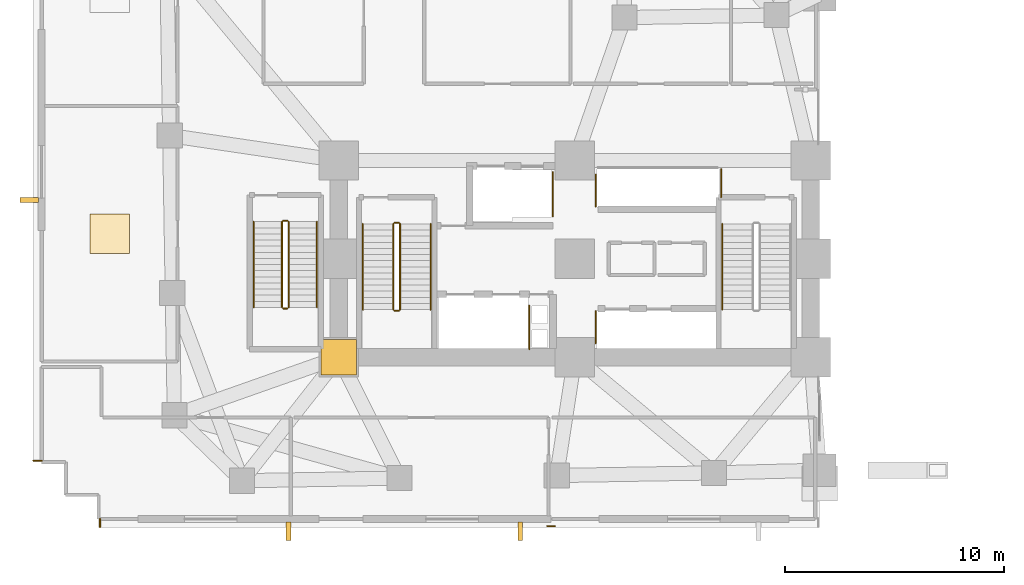
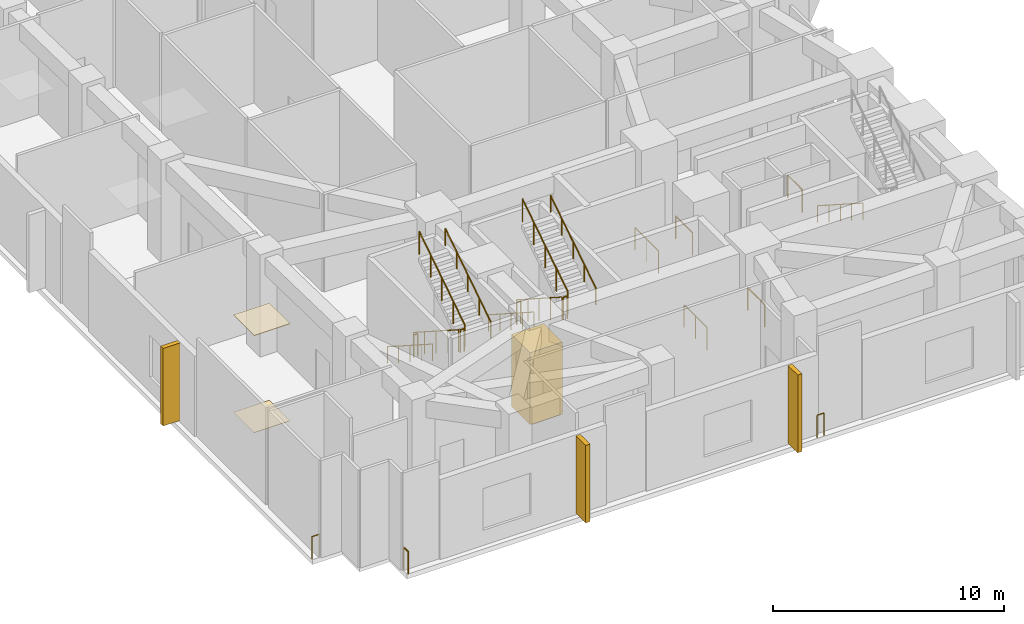
# One storey, part 13 of 18: 21 railings, 3 coverings, 3 shading devices.
"""IFC4 building model written with IfcOpenShell, lengths in metres."""

from ifc_helpers import new_model, si_unit, direction, frame, origin, origin_2d, place, context, subcontext, project, spatial, rectangle, circle, extrude, material, layer, layer_set, type_object, element, save


model = new_model("IFC4")

# Units and contexts
model_context = context("Model", 3, precision=1e-05, world=origin(), true_north=direction((0.0, 1.0)))
body_context = subcontext(model_context, "Body", "Model", "MODEL_VIEW")
ifc_project = project(units=[si_unit("LENGTHUNIT", "METRE"), si_unit("AREAUNIT", "SQUARE_METRE"), si_unit("VOLUMEUNIT", "CUBIC_METRE"), si_unit("PLANEANGLEUNIT", "RADIAN"), si_unit("MASSUNIT", "GRAM", prefix="KILO")], contexts=[model_context])

# Site, building, storey
site_placement = place(None, origin())
site = spatial("IfcSite", under=ifc_project, at=site_placement, CompositionType="ELEMENT")
building_placement = place(site_placement, origin())
building = spatial("IfcBuilding", under=site, at=building_placement, Name="Gaonmaruhae Medical Tower", CompositionType="ELEMENT")
storey_placement = place(building_placement, frame((0.0, 0.0, 16.199951171875)))
storey = spatial("IfcBuildingStorey", under=building, at=storey_placement, Name="L03", CompositionType="ELEMENT", Elevation=16.199951171875)

# Coverings
ifc_material_1 = material(Name="Architectural precast column cladding", Category="concrete")
ifc_layer_1 = layer(ifc_material_1, 0.06005859375)
ifc_layer_set_1 = layer_set([ifc_layer_1], Name="Architectural precast column cladding")
covering_type_1 = type_object("IfcCoveringType", Name="CLD-01 Architectural Precast Pier Cladding", PredefinedType="CLADDING", material=ifc_layer_set_1)
covering_1_placement = place(storey_placement, frame((14.0, 7.800048828125, 0.10009765625), z_axis=(0.0, 0.0, 1.0), x_axis=(1.0, 0.0, 0.0)))
element("IfcCovering", 1, at=covering_1_placement, inside=storey, type_object=covering_type_1, Name="L03 Architectural Precast Column Cladding 5", PredefinedType="CLADDING", context=body_context, shape_type="SweptSolid", body=[
    extrude(rectangle(XDim=1.6201171875, YDim=1.6201171875, at=origin_2d()), origin(), (0.0, 0.0, 1.0), 3.800048828125),
])
ifc_material_2 = material(Name="Acoustic mineral ceiling tile", Category="finish")
ifc_layer_2 = layer(ifc_material_2, 0.02490234375)
ifc_layer_set_2 = layer_set([ifc_layer_2], Name="Acoustic mineral ceiling tile")
covering_type_2 = type_object("IfcCoveringType", Name="CLG-01 Antimicrobial Acoustic Mineral Ceiling", PredefinedType="CEILING", material=ifc_layer_set_2)
covering_2_placement = place(storey_placement, frame((3.510009765625, 13.449951171875, 5.125), z_axis=(0.0, 0.0, 1.0), x_axis=(1.0, 0.0, 0.0)))
element("IfcCovering", 2, at=covering_2_placement, inside=storey, type_object=covering_type_2, Name="L03 Clinical Room Acoustic Ceiling 2", PredefinedType="CEILING", context=body_context, shape_type="SweptSolid", body=[
    extrude(rectangle(XDim=1.800048828125, YDim=1.800048828125, at=origin_2d()), origin(), (0.0, 0.0, 1.0), 0.02490234375),
])
ifc_material_3 = material(Name="Seamless clinical vinyl flooring", Category="finish")
ifc_layer_3 = layer(ifc_material_3, 0.014892578125)
ifc_layer_set_3 = layer_set([ifc_layer_3], Name="Seamless clinical vinyl flooring")
covering_type_3 = type_object("IfcCoveringType", Name="FLR-01 Seamless Clinical Antistatic Vinyl Flooring", PredefinedType="FLOORING", material=ifc_layer_set_3)
covering_3_placement = place(storey_placement, frame((3.510009765625, 13.449951171875, 0.0), z_axis=(0.0, 0.0, 1.0), x_axis=(1.0, 0.0, 0.0)))
element("IfcCovering", 3, at=covering_3_placement, inside=storey, type_object=covering_type_3, Name="L03 Clinical Room Vinyl Flooring 2", PredefinedType="FLOORING", context=body_context, shape_type="SweptSolid", body=[
    extrude(rectangle(XDim=1.800048828125, YDim=1.800048828125, at=origin_2d()), origin(), (0.0, 0.0, 1.0), 0.014892578125),
])

# Railings
ifc_material_4 = material(Name="Stainless steel 316L and laminated safety glass", Category="steel")
ifc_layer_4 = layer(ifc_material_4, 0.080078125)
ifc_layer_set_4 = layer_set([ifc_layer_4], Name="Stainless steel 316L and laminated safety glass")
railing_type_1 = type_object("IfcRailingType", Name="GD-120 Outdoor Terrace Safety Glass & Steel Balustrade", PredefinedType="BALUSTRADE", material=ifc_layer_set_4)
railing_1_placement = place(storey_placement, frame((3.070068359375, 0.02001953125, 0.0)))
element("IfcRailing", 4, at=railing_1_placement, inside=storey, type_object=railing_type_1, Name="L03 Perimeter Slab Edge Safety Balustrade 01", PredefinedType="BALUSTRADE", context=body_context, shape_type="SweptSolid", body=[
    extrude(circle(Radius=0.02392578125, at=origin_2d()), frame((0.0, 0.0, 1.17578125), z_axis=(0.0, 1.0, 0.0), x_axis=(-1.0, 0.0, 0.0)), (0.0, 0.0, 1.0), 0.393310546875),
    extrude(circle(Radius=0.02099609375, at=origin_2d()), origin(), (0.0, 0.0, 1.0), 1.15185546875),
    extrude(circle(Radius=0.02099609375, at=origin_2d()), frame((0.0, 0.393310546875, 0.0)), (0.0, 0.0, 1.0), 1.15185546875),
])
railing_2_placement = place(storey_placement, frame((0.413330078125, 3.070068359375, 0.0)))
element("IfcRailing", 5, at=railing_2_placement, inside=storey, type_object=railing_type_1, Name="L03 Perimeter Slab Edge Safety Balustrade 02", PredefinedType="BALUSTRADE", context=body_context, shape_type="SweptSolid", body=[
    extrude(circle(Radius=0.02392578125, at=origin_2d()), frame((0.0, 0.0, 1.17578125), z_axis=(-1.0, 0.0, 0.0), x_axis=(0.0, -1.0, 0.0)), (0.0, 0.0, 1.0), 0.393310546875),
    extrude(circle(Radius=0.02099609375, at=origin_2d()), origin(), (0.0, 0.0, 1.0), 1.15185546875),
    extrude(circle(Radius=0.02099609375, at=origin_2d()), frame((-0.393310546875, 0.0, 0.0)), (0.0, 0.0, 1.0), 1.15185546875),
])
railing_3_placement = place(storey_placement, frame((23.88427734375, 0.070068359375, 0.0)))
element("IfcRailing", 6, at=railing_3_placement, inside=storey, type_object=railing_type_1, Name="L03 Perimeter Slab Edge Safety Balustrade 16", PredefinedType="BALUSTRADE", context=body_context, shape_type="SweptSolid", body=[
    extrude(circle(Radius=0.02392578125, at=origin_2d()), frame((0.0, 0.0, 1.17578125), z_axis=(-1.0, 0.0, 0.0), x_axis=(0.0, -1.0, 0.0)), (0.0, 0.0, 1.0), 0.33935546875),
    extrude(circle(Radius=0.02099609375, at=origin_2d()), origin(), (0.0, 0.0, 1.0), 1.15185546875),
    extrude(circle(Radius=0.02099609375, at=origin_2d()), frame((-0.33935546875, 0.0, 0.0)), (0.0, 0.0, 1.0), 1.15185546875),
])
ifc_material_5 = material(Name="Stainless steel 304 handrail", Category="steel")
railing_type_2 = type_object("IfcRailingType", Name="HR-092 Continuous Stainless Steel Stair Handrail", PredefinedType="HANDRAIL", material=ifc_material_5)
railing_4_placement = place(storey_placement, frame((15.10009765625, 13.89990234375, 0.179931640625)))
element("IfcRailing", 7, at=railing_4_placement, inside=storey, type_object=railing_type_2, Name="L03 ST-01 stair handrail 1", PredefinedType="HANDRAIL", context=body_context, shape_type="SweptSolid", body=[
    extrude(circle(Radius=0.02392578125, at=origin_2d()), frame((0.0, 0.0, 0.8759765625), z_axis=(0.0, -0.841171666519, 0.540768182723), x_axis=(1.0, 0.0, 0.0)), (0.0, 0.0, 1.0), 4.66015625),
    extrude(circle(Radius=0.02099609375, at=origin_2d()), origin(), (0.0, 0.0, 1.0), 0.851806640625),
    extrude(circle(Radius=0.02099609375, at=origin_2d()), frame((0.0, -0.97998046875, 0.6298828125)), (0.0, 0.0, 1.0), 0.851806640625),
    extrude(circle(Radius=0.02099609375, at=origin_2d()), frame((0.0, -1.9599609375, 1.260009765625)), (0.0, 0.0, 1.0), 0.851806640625),
    extrude(circle(Radius=0.02099609375, at=origin_2d()), frame((0.0, -2.93994140625, 1.89013671875)), (0.0, 0.0, 1.0), 0.851806640625),
    extrude(circle(Radius=0.02099609375, at=origin_2d()), frame((0.0, -3.919921875, 2.52001953125)), (0.0, 0.0, 1.0), 0.851806640625),
])
railing_5_placement = place(storey_placement, frame((18.199951171875, 9.97998046875, 2.880126953125)))
element("IfcRailing", 8, at=railing_5_placement, inside=storey, type_object=railing_type_2, Name="L03 ST-01 stair handrail 2", PredefinedType="HANDRAIL", context=body_context, shape_type="SweptSolid", body=[
    extrude(circle(Radius=0.02392578125, at=origin_2d()), frame((0.0, 0.0, 0.8759765625), z_axis=(0.0, 0.841171666519, 0.540768182723), x_axis=(-1.0, 0.0, 0.0)), (0.0, 0.0, 1.0), 4.66015625),
    extrude(circle(Radius=0.02099609375, at=origin_2d()), origin(), (0.0, 0.0, 1.0), 0.851806640625),
    extrude(circle(Radius=0.02099609375, at=origin_2d()), frame((0.0, 0.97998046875, 0.6298828125)), (0.0, 0.0, 1.0), 0.851806640625),
    extrude(circle(Radius=0.02099609375, at=origin_2d()), frame((0.0, 1.9599609375, 1.260009765625)), (0.0, 0.0, 1.0), 0.851806640625),
    extrude(circle(Radius=0.02099609375, at=origin_2d()), frame((0.0, 2.93994140625, 1.89013671875)), (0.0, 0.0, 1.0), 0.851806640625),
    extrude(circle(Radius=0.02099609375, at=origin_2d()), frame((0.0, 3.919921875, 2.52001953125)), (0.0, 0.0, 1.0), 0.851806640625),
])
for number, where, name in (
    (9, (31.550048828125, 13.89990234375, 0.179931640625), "L03 ST-02 stair handrail 1"),
    (10, (10.10009765625, 14.0, 0.179931640625), "L03 ST-03 stair handrail 1"),
):
    element("IfcRailing", number, at=place(storey_placement, frame(where)), inside=storey, type_object=railing_type_2, Name=name, PredefinedType="HANDRAIL", context=body_context, shape_type="SweptSolid", body=[
        extrude(circle(Radius=0.02392578125, at=origin_2d()), frame((0.0, 0.0, 0.8759765625), z_axis=(0.0, -0.841171666519, 0.540768182723), x_axis=(1.0, 0.0, 0.0)), (0.0, 0.0, 1.0), 4.66015625),
        extrude(circle(Radius=0.02099609375, at=origin_2d()), origin(), (0.0, 0.0, 1.0), 0.851806640625),
        extrude(circle(Radius=0.02099609375, at=origin_2d()), frame((0.0, -0.97998046875, 0.6298828125)), (0.0, 0.0, 1.0), 0.851806640625),
        extrude(circle(Radius=0.02099609375, at=origin_2d()), frame((0.0, -1.9599609375, 1.260009765625)), (0.0, 0.0, 1.0), 0.851806640625),
        extrude(circle(Radius=0.02099609375, at=origin_2d()), frame((0.0, -2.93994140625, 1.89013671875)), (0.0, 0.0, 1.0), 0.851806640625),
        extrude(circle(Radius=0.02099609375, at=origin_2d()), frame((0.0, -3.919921875, 2.52001953125)), (0.0, 0.0, 1.0), 0.851806640625),
    ])
railing_6_placement = place(storey_placement, frame((13.0, 10.080078125, 2.880126953125)))
element("IfcRailing", 11, at=railing_6_placement, inside=storey, type_object=railing_type_2, Name="L03 ST-03 stair handrail 2", PredefinedType="HANDRAIL", context=body_context, shape_type="SweptSolid", body=[
    extrude(circle(Radius=0.02392578125, at=origin_2d()), frame((0.0, 0.0, 0.8759765625), z_axis=(0.0, 0.841171666519, 0.540768182723), x_axis=(-1.0, 0.0, 0.0)), (0.0, 0.0, 1.0), 4.66015625),
    extrude(circle(Radius=0.02099609375, at=origin_2d()), origin(), (0.0, 0.0, 1.0), 0.851806640625),
    extrude(circle(Radius=0.02099609375, at=origin_2d()), frame((0.0, 0.97998046875, 0.6298828125)), (0.0, 0.0, 1.0), 0.851806640625),
    extrude(circle(Radius=0.02099609375, at=origin_2d()), frame((0.0, 1.9599609375, 1.260009765625)), (0.0, 0.0, 1.0), 0.851806640625),
    extrude(circle(Radius=0.02099609375, at=origin_2d()), frame((0.0, 2.93994140625, 1.89013671875)), (0.0, 0.0, 1.0), 0.851806640625),
    extrude(circle(Radius=0.02099609375, at=origin_2d()), frame((0.0, 3.919921875, 2.52001953125)), (0.0, 0.0, 1.0), 0.851806640625),
])

# Shading devices
ifc_material_6 = material(Name="Pigmented coral precast concrete C45/55", Category="concrete")
shading_device_type = type_object("IfcShadingDeviceType", Name="SD-FIN2 Podium Vertical Coral Precast Shading Fin", PredefinedType="USERDEFINED", material=ifc_material_6)
for number, where, z_axis, x_axis, name in (
    (12, (11.699951171875, -0.1650390625, 0.06494140625), (0.0, 0.0, 1.0), (-1.0, 0.0, 0.0), "L03 Podium Coral Precast Shading Fin PB-S1"),
    (13, (22.300048828125, -0.1650390625, 0.06494140625), (0.0, 0.0, 1.0), (-1.0, 0.0, 0.0), "L03 Podium Coral Precast Shading Fin PB-S2"),
    (14, (-0.1650390625, 15.0, 0.06494140625), (0.0, 0.0, 1.0), (0.0, 1.0, 0.0), "L03 Podium Coral Precast Shading Fin PB-W1"),
):
    element("IfcShadingDevice", number, at=place(storey_placement, frame(where, z_axis=z_axis, x_axis=x_axis)), inside=storey, type_object=shading_device_type, Name=name, ObjectType="FIN", PredefinedType="USERDEFINED", context=body_context, shape_type="SweptSolid", body=[
        extrude(rectangle(XDim=0.219970703125, YDim=0.85009765625, at=origin_2d()), origin(), (0.0, 0.0, 1.0), 4.10009765625),
    ])

# Railings
ifc_material_7 = material(Name="Stainless steel 304 balustrade", Category="steel")
railing_type_3 = type_object("IfcRailingType", Name="SG-112 Stair Well & Ramp Void Safety Balustrade", PredefinedType="BALUSTRADE", material=ifc_material_7)
railing_7_placement = place(storey_placement, frame((16.5, 13.89990234375, 0.179931640625)))
element("IfcRailing", 15, at=railing_7_placement, inside=storey, type_object=railing_type_3, Name="L03 ST-01 stair guard 1", PredefinedType="BALUSTRADE", context=body_context, shape_type="SweptSolid", body=[
    extrude(circle(Radius=0.02392578125, at=origin_2d()), frame((0.0, 0.0, 1.17578125), z_axis=(0.0, -0.841171666519, 0.540768182723), x_axis=(1.0, 0.0, 0.0)), (0.0, 0.0, 1.0), 4.66015625),
    extrude(circle(Radius=0.02099609375, at=origin_2d()), origin(), (0.0, 0.0, 1.0), 1.15185546875),
    extrude(circle(Radius=0.02099609375, at=origin_2d()), frame((0.0, -0.97998046875, 0.6298828125)), (0.0, 0.0, 1.0), 1.15185546875),
    extrude(circle(Radius=0.02099609375, at=origin_2d()), frame((0.0, -1.9599609375, 1.260009765625)), (0.0, 0.0, 1.0), 1.15185546875),
    extrude(circle(Radius=0.02099609375, at=origin_2d()), frame((0.0, -2.93994140625, 1.89013671875)), (0.0, 0.0, 1.0), 1.15185546875),
    extrude(circle(Radius=0.02099609375, at=origin_2d()), frame((0.0, -3.919921875, 2.52001953125)), (0.0, 0.0, 1.0), 1.15185546875),
])
railing_8_placement = place(storey_placement, frame((16.550048828125, 9.929931640625, 2.699951171875)))
element("IfcRailing", 16, at=railing_8_placement, inside=storey, type_object=railing_type_3, Name="L03 ST-01 stair guard 2", PredefinedType="BALUSTRADE", context=body_context, shape_type="SweptSolid", body=[
    extrude(circle(Radius=0.02392578125, at=origin_2d()), frame((0.0, 0.0, 1.17578125), z_axis=(1.0, 0.0, 0.0), x_axis=(0.0, 1.0, 0.0)), (0.0, 0.0, 1.0), 0.199951171875),
    extrude(circle(Radius=0.02099609375, at=origin_2d()), origin(), (0.0, 0.0, 1.0), 1.15185546875),
    extrude(circle(Radius=0.02099609375, at=origin_2d()), frame((0.199951171875, 0.0, 0.0)), (0.0, 0.0, 1.0), 1.15185546875),
])
railing_9_placement = place(storey_placement, frame((16.800048828125, 9.97998046875, 2.880126953125)))
element("IfcRailing", 17, at=railing_9_placement, inside=storey, type_object=railing_type_3, Name="L03 ST-01 stair guard 3", PredefinedType="BALUSTRADE", context=body_context, shape_type="SweptSolid", body=[
    extrude(circle(Radius=0.02392578125, at=origin_2d()), frame((0.0, 0.0, 1.17578125), z_axis=(0.0, 0.841171666519, 0.540768182723), x_axis=(-1.0, 0.0, 0.0)), (0.0, 0.0, 1.0), 4.66015625),
    extrude(circle(Radius=0.02099609375, at=origin_2d()), origin(), (0.0, 0.0, 1.0), 1.15185546875),
    extrude(circle(Radius=0.02099609375, at=origin_2d()), frame((0.0, 0.97998046875, 0.6298828125)), (0.0, 0.0, 1.0), 1.15185546875),
    extrude(circle(Radius=0.02099609375, at=origin_2d()), frame((0.0, 1.9599609375, 1.260009765625)), (0.0, 0.0, 1.0), 1.15185546875),
    extrude(circle(Radius=0.02099609375, at=origin_2d()), frame((0.0, 2.93994140625, 1.89013671875)), (0.0, 0.0, 1.0), 1.15185546875),
    extrude(circle(Radius=0.02099609375, at=origin_2d()), frame((0.0, 3.919921875, 2.52001953125)), (0.0, 0.0, 1.0), 1.15185546875),
])
railing_10_placement = place(storey_placement, frame((16.550048828125, 13.949951171875, 0.0)))
element("IfcRailing", 18, at=railing_10_placement, inside=storey, type_object=railing_type_3, Name="L03 ST-01 stair guard 4", PredefinedType="BALUSTRADE", context=body_context, shape_type="SweptSolid", body=[
    extrude(circle(Radius=0.02392578125, at=origin_2d()), frame((0.0, 0.0, 1.17578125), z_axis=(1.0, 0.0, 0.0), x_axis=(0.0, 1.0, 0.0)), (0.0, 0.0, 1.0), 0.199951171875),
    extrude(circle(Radius=0.02099609375, at=origin_2d()), origin(), (0.0, 0.0, 1.0), 1.15185546875),
    extrude(circle(Radius=0.02099609375, at=origin_2d()), frame((0.199951171875, 0.0, 0.0)), (0.0, 0.0, 1.0), 1.15185546875),
])
railing_11_placement = place(storey_placement, frame((11.39990234375, 14.0, 0.179931640625)))
element("IfcRailing", 19, at=railing_11_placement, inside=storey, type_object=railing_type_3, Name="L03 ST-03 stair guard 1", PredefinedType="BALUSTRADE", context=body_context, shape_type="SweptSolid", body=[
    extrude(circle(Radius=0.02392578125, at=origin_2d()), frame((0.0, 0.0, 1.17578125), z_axis=(0.0, -0.841171666519, 0.540768182723), x_axis=(1.0, 0.0, 0.0)), (0.0, 0.0, 1.0), 4.66015625),
    extrude(circle(Radius=0.02099609375, at=origin_2d()), origin(), (0.0, 0.0, 1.0), 1.15185546875),
    extrude(circle(Radius=0.02099609375, at=origin_2d()), frame((0.0, -0.97998046875, 0.6298828125)), (0.0, 0.0, 1.0), 1.15185546875),
    extrude(circle(Radius=0.02099609375, at=origin_2d()), frame((0.0, -1.9599609375, 1.260009765625)), (0.0, 0.0, 1.0), 1.15185546875),
    extrude(circle(Radius=0.02099609375, at=origin_2d()), frame((0.0, -2.93994140625, 1.89013671875)), (0.0, 0.0, 1.0), 1.15185546875),
    extrude(circle(Radius=0.02099609375, at=origin_2d()), frame((0.0, -3.919921875, 2.52001953125)), (0.0, 0.0, 1.0), 1.15185546875),
])
railing_12_placement = place(storey_placement, frame((11.449951171875, 10.030029296875, 2.699951171875)))
element("IfcRailing", 20, at=railing_12_placement, inside=storey, type_object=railing_type_3, Name="L03 ST-03 stair guard 2", PredefinedType="BALUSTRADE", context=body_context, shape_type="SweptSolid", body=[
    extrude(circle(Radius=0.02392578125, at=origin_2d()), frame((0.0, 0.0, 1.17578125), z_axis=(1.0, 0.0, 0.0), x_axis=(0.0, 1.0, 0.0)), (0.0, 0.0, 1.0), 0.199951171875),
    extrude(circle(Radius=0.02099609375, at=origin_2d()), origin(), (0.0, 0.0, 1.0), 1.15185546875),
    extrude(circle(Radius=0.02099609375, at=origin_2d()), frame((0.199951171875, 0.0, 0.0)), (0.0, 0.0, 1.0), 1.15185546875),
])
railing_13_placement = place(storey_placement, frame((11.699951171875, 10.080078125, 2.880126953125)))
element("IfcRailing", 21, at=railing_13_placement, inside=storey, type_object=railing_type_3, Name="L03 ST-03 stair guard 3", PredefinedType="BALUSTRADE", context=body_context, shape_type="SweptSolid", body=[
    extrude(circle(Radius=0.02392578125, at=origin_2d()), frame((0.0, 0.0, 1.17578125), z_axis=(0.0, 0.841171666519, 0.540768182723), x_axis=(-1.0, 0.0, 0.0)), (0.0, 0.0, 1.0), 4.66015625),
    extrude(circle(Radius=0.02099609375, at=origin_2d()), origin(), (0.0, 0.0, 1.0), 1.15185546875),
    extrude(circle(Radius=0.02099609375, at=origin_2d()), frame((0.0, 0.97998046875, 0.6298828125)), (0.0, 0.0, 1.0), 1.15185546875),
    extrude(circle(Radius=0.02099609375, at=origin_2d()), frame((0.0, 1.9599609375, 1.260009765625)), (0.0, 0.0, 1.0), 1.15185546875),
    extrude(circle(Radius=0.02099609375, at=origin_2d()), frame((0.0, 2.93994140625, 1.89013671875)), (0.0, 0.0, 1.0), 1.15185546875),
    extrude(circle(Radius=0.02099609375, at=origin_2d()), frame((0.0, 3.919921875, 2.52001953125)), (0.0, 0.0, 1.0), 1.15185546875),
])
railing_14_placement = place(storey_placement, frame((11.449951171875, 14.050048828125, 0.0)))
element("IfcRailing", 22, at=railing_14_placement, inside=storey, type_object=railing_type_3, Name="L03 ST-03 stair guard 4", PredefinedType="BALUSTRADE", context=body_context, shape_type="SweptSolid", body=[
    extrude(circle(Radius=0.02392578125, at=origin_2d()), frame((0.0, 0.0, 1.17578125), z_axis=(1.0, 0.0, 0.0), x_axis=(0.0, 1.0, 0.0)), (0.0, 0.0, 1.0), 0.199951171875),
    extrude(circle(Radius=0.02099609375, at=origin_2d()), origin(), (0.0, 0.0, 1.0), 1.15185546875),
    extrude(circle(Radius=0.02099609375, at=origin_2d()), frame((0.199951171875, 0.0, 0.0)), (0.0, 0.0, 1.0), 1.15185546875),
])
railing_15_placement = place(storey_placement, frame((22.719970703125, 10.159912109375, 0.0)))
element("IfcRailing", 23, at=railing_15_placement, inside=storey, type_object=railing_type_3, Name="L03 Shaft Edge Safety Guard 17", PredefinedType="BALUSTRADE", context=body_context, shape_type="SweptSolid", body=[
    extrude(circle(Radius=0.02392578125, at=origin_2d()), frame((0.0, 0.0, 1.17578125), z_axis=(0.0, -1.0, 0.0), x_axis=(1.0, 0.0, 0.0)), (0.0, 0.0, 1.0), 1.994873046875),
    extrude(circle(Radius=0.02099609375, at=origin_2d()), origin(), (0.0, 0.0, 1.0), 1.15185546875),
    extrude(circle(Radius=0.02099609375, at=origin_2d()), frame((0.0, -0.99755859375, 0.0)), (0.0, 0.0, 1.0), 1.15185546875),
    extrude(circle(Radius=0.02099609375, at=origin_2d()), frame((0.0, -1.994873046875, 0.0)), (0.0, 0.0, 1.0), 1.15185546875),
])
railing_16_placement = place(storey_placement, frame((23.794921875, 16.27587890625, 0.0)))
element("IfcRailing", 24, at=railing_16_placement, inside=storey, type_object=railing_type_3, Name="L03 Shaft Edge Safety Guard 18", PredefinedType="BALUSTRADE", context=body_context, shape_type="SweptSolid", body=[
    extrude(circle(Radius=0.02392578125, at=origin_2d()), frame((0.0, 0.0, 1.17578125), z_axis=(0.0, -1.0, 0.0), x_axis=(1.0, 0.0, 0.0)), (0.0, 0.0, 1.0), 2.03076171875),
    extrude(circle(Radius=0.02099609375, at=origin_2d()), origin(), (0.0, 0.0, 1.0), 1.15185546875),
    extrude(circle(Radius=0.02099609375, at=origin_2d()), frame((0.0, -1.015380859375, 0.0)), (0.0, 0.0, 1.0), 1.15185546875),
    extrude(circle(Radius=0.02099609375, at=origin_2d()), frame((0.0, -2.03076171875, 0.0)), (0.0, 0.0, 1.0), 1.15185546875),
])
railing_17_placement = place(storey_placement, frame((25.7548828125, 8.445068359375, 0.0)))
element("IfcRailing", 25, at=railing_17_placement, inside=storey, type_object=railing_type_3, Name="L03 Shaft Edge Safety Guard 19", PredefinedType="BALUSTRADE", context=body_context, shape_type="SweptSolid", body=[
    extrude(circle(Radius=0.02392578125, at=origin_2d()), frame((0.0, 0.0, 1.17578125), z_axis=(0.0, 1.0, 0.0), x_axis=(-1.0, 0.0, 0.0)), (0.0, 0.0, 1.0), 1.4599609375),
    extrude(circle(Radius=0.02099609375, at=origin_2d()), origin(), (0.0, 0.0, 1.0), 1.15185546875),
    extrude(circle(Radius=0.02099609375, at=origin_2d()), frame((0.0, 1.4599609375, 0.0)), (0.0, 0.0, 1.0), 1.15185546875),
])
railing_18_placement = place(storey_placement, frame((31.4951171875, 16.405029296875, 0.0)))
element("IfcRailing", 26, at=railing_18_placement, inside=storey, type_object=railing_type_3, Name="L03 Shaft Edge Safety Guard 20", PredefinedType="BALUSTRADE", context=body_context, shape_type="SweptSolid", body=[
    extrude(circle(Radius=0.02392578125, at=origin_2d()), frame((0.0, 0.0, 1.17578125), z_axis=(0.0, -1.0, 0.0), x_axis=(1.0, 0.0, 0.0)), (0.0, 0.0, 1.0), 1.284912109375),
    extrude(circle(Radius=0.02099609375, at=origin_2d()), origin(), (0.0, 0.0, 1.0), 1.15185546875),
    extrude(circle(Radius=0.02099609375, at=origin_2d()), frame((0.0, -1.284912109375, 0.0)), (0.0, 0.0, 1.0), 1.15185546875),
])
railing_19_placement = place(storey_placement, frame((25.7548828125, 14.695068359375, 0.0)))
element("IfcRailing", 27, at=railing_19_placement, inside=storey, type_object=railing_type_3, Name="L03 Shaft Edge Safety Guard 21", PredefinedType="BALUSTRADE", context=body_context, shape_type="SweptSolid", body=[
    extrude(circle(Radius=0.02392578125, at=origin_2d()), frame((0.0, 0.0, 1.17578125), z_axis=(0.0, 1.0, 0.0), x_axis=(-1.0, 0.0, 0.0)), (0.0, 0.0, 1.0), 1.4599609375),
    extrude(circle(Radius=0.02099609375, at=origin_2d()), origin(), (0.0, 0.0, 1.0), 1.15185546875),
    extrude(circle(Radius=0.02099609375, at=origin_2d()), frame((0.0, 1.4599609375, 0.0)), (0.0, 0.0, 1.0), 1.15185546875),
])

save(model, "model.ifc")
